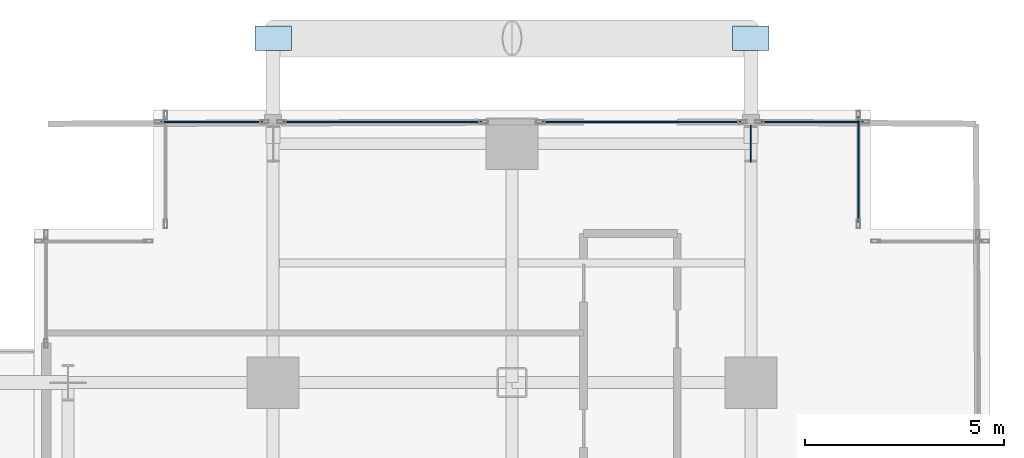
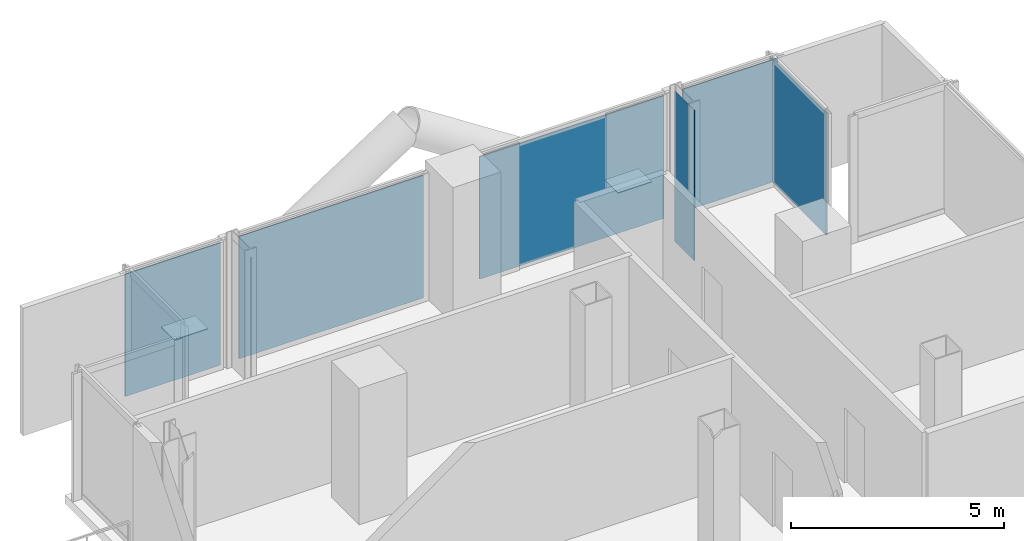
# One storey, part 18 of 27: 8 plates, 5 elements without a shape of their own.
"""IFC4 building model written with IfcOpenShell, lengths in metres."""

from ifc_helpers import new_model, si_unit, direction, frame, origin, origin_2d, place, context, subcontext, project, spatial, rectangle, extrude, material, layer, layer_set, type_object, element, aggregate, save


model = new_model("IFC4")

# Units and contexts
model_context = context("Model", 3, precision=1e-05, world=origin(), true_north=direction((0.0, 1.0)))
body_context = subcontext(model_context, "Body", "Model", "MODEL_VIEW")
ifc_project = project(units=[si_unit("LENGTHUNIT", "METRE"), si_unit("AREAUNIT", "SQUARE_METRE"), si_unit("VOLUMEUNIT", "CUBIC_METRE"), si_unit("PLANEANGLEUNIT", "RADIAN"), si_unit("MASSUNIT", "GRAM", prefix="KILO"), si_unit("THERMODYNAMICTEMPERATUREUNIT", "KELVIN"), si_unit("POWERUNIT", "WATT")], contexts=[model_context])

# Site, building, storey
site_placement = place(None, origin())
site = spatial("IfcSite", under=ifc_project, at=site_placement, CompositionType="ELEMENT")
building_placement = place(site_placement, origin())
building = spatial("IfcBuilding", under=site, at=building_placement, Name="Svarakhadi Broadcast Tower", CompositionType="ELEMENT")
storey_placement = place(building_placement, frame((0.0, 0.0, 55.800048828125)))
storey = spatial("IfcBuildingStorey", under=building, at=storey_placement, Name="L12", CompositionType="ELEMENT", Elevation=55.800048828125)

# Curtain wall, plate
ifc_material_1 = material(Name="Anodised Bronze Aluminium AA 6063-T6", Category="aluminium")
ifc_layer_1 = layer(ifc_material_1, 0.219970703125)
ifc_layer_set_1 = layer_set([ifc_layer_1], Name="Anodised Bronze Aluminium AA 6063-T6")
curtain_wall_type = type_object("IfcCurtainWallType", Name="CW_Sys_02", PredefinedType="NOTDEFINED", material=ifc_layer_set_1)
curtain_wall_1_placement = place(storey_placement, origin())
curtain_wall_1 = element("IfcCurtainWall", 1, at=curtain_wall_1_placement, inside=storey, type_object=curtain_wall_type, Name="L12 Unitised Facade Curtain Wall 06 Bay 1", PredefinedType="NOTDEFINED")
ifc_material_2 = material(Name="Double Low-E Laminated Acoustic Glass IGU 36 mm", Category="glass")
ifc_layer_2 = layer(ifc_material_2, 0.035888671875)
ifc_layer_set_2 = layer_set([ifc_layer_2], Name="Double Low-E Laminated Acoustic Glass IGU 36 mm")
plate_type_1 = type_object("IfcPlateType", Name="CW_Sys_02_Pnl", PredefinedType="CURTAIN_PANEL", material=ifc_layer_set_2)
plate_1_placement = place(storey_placement, frame((4.4599609375, 47.699951171875, 0.074951171875), z_axis=(0.0, 0.0, 1.0), x_axis=(1.0, 0.0, 0.0)))
plate_1 = element("IfcPlate", 2, at=plate_1_placement, type_object=plate_type_1, Name="CW-02 panel 1.1", PredefinedType="CURTAIN_PANEL", context=body_context, shape_type="SweptSolid", body=[
    extrude(rectangle(XDim=2.570068359375, YDim=0.035888671875, at=origin_2d()), origin(), (0.0, 0.0, 1.0), 3.5),
])
aggregate(curtain_wall_1, [plate_1])

curtain_wall_2_placement = place(storey_placement, origin())
curtain_wall_2 = element("IfcCurtainWall", 3, at=curtain_wall_2_placement, inside=storey, type_object=curtain_wall_type, Name="L12 Unitised Facade Curtain Wall 06 Bay 2", PredefinedType="NOTDEFINED")
plate_2_placement = place(storey_placement, frame((8.75, 47.699951171875, 0.074951171875), z_axis=(0.0, 0.0, 1.0), x_axis=(1.0, 0.0, 0.0)))
plate_2 = element("IfcPlate", 4, at=plate_2_placement, type_object=plate_type_1, Name="CW-02 panel 1.1", PredefinedType="CURTAIN_PANEL", context=body_context, shape_type="SweptSolid", body=[
    extrude(rectangle(XDim=4.989990234375, YDim=0.035888671875, at=origin_2d()), origin(), (0.0, 0.0, 1.0), 3.5),
])
aggregate(curtain_wall_2, [plate_2])

curtain_wall_3_placement = place(storey_placement, origin())
curtain_wall_3 = element("IfcCurtainWall", 5, at=curtain_wall_3_placement, inside=storey, type_object=curtain_wall_type, Name="L12 Unitised Facade Curtain Wall 06 Bay 3", PredefinedType="NOTDEFINED")
plate_3_placement = place(storey_placement, frame((15.25, 47.699951171875, 0.074951171875), z_axis=(0.0, 0.0, 1.0), x_axis=(1.0, 0.0, 0.0)))
plate_3 = element("IfcPlate", 6, at=plate_3_placement, type_object=plate_type_1, Name="CW-02 panel 1.1", PredefinedType="CURTAIN_PANEL", context=body_context, shape_type="SweptSolid", body=[
    extrude(rectangle(XDim=4.989990234375, YDim=0.035888671875, at=origin_2d()), origin(), (0.0, 0.0, 1.0), 3.5),
])
aggregate(curtain_wall_3, [plate_3])

curtain_wall_4_placement = place(storey_placement, origin())
curtain_wall_4 = element("IfcCurtainWall", 7, at=curtain_wall_4_placement, inside=storey, type_object=curtain_wall_type, Name="L12 Unitised Facade Curtain Wall 06 Bay 4", PredefinedType="NOTDEFINED")
plate_4_placement = place(storey_placement, frame((19.5400390625, 47.699951171875, 0.074951171875), z_axis=(0.0, 0.0, 1.0), x_axis=(1.0, 0.0, 0.0)))
plate_4 = element("IfcPlate", 8, at=plate_4_placement, type_object=plate_type_1, Name="CW-02 panel 1.1", PredefinedType="CURTAIN_PANEL", context=body_context, shape_type="SweptSolid", body=[
    extrude(rectangle(XDim=2.570068359375, YDim=0.035888671875, at=origin_2d()), origin(), (0.0, 0.0, 1.0), 3.5),
])
aggregate(curtain_wall_4, [plate_4])

curtain_wall_5_placement = place(storey_placement, origin())
curtain_wall_5 = element("IfcCurtainWall", 9, at=curtain_wall_5_placement, inside=storey, type_object=curtain_wall_type, Name="L12 Unitised Facade Curtain Wall 07", PredefinedType="NOTDEFINED")
plate_5_placement = place(storey_placement, frame((20.699951171875, 46.5, 0.074951171875), z_axis=(0.0, 0.0, 1.0), x_axis=(0.0, -1.0, 0.0)))
plate_5 = element("IfcPlate", 10, at=plate_5_placement, type_object=plate_type_1, Name="CW-02 panel 1.1", PredefinedType="CURTAIN_PANEL", context=body_context, shape_type="SweptSolid", body=[
    extrude(rectangle(XDim=2.64990234375, YDim=0.035888671875, at=origin_2d()), origin(), (0.0, 0.0, 1.0), 3.5),
])
aggregate(curtain_wall_5, [plate_5])

# Plates
ifc_material_3 = material(Name="Steel S460ML (IS 2062 E450BR)", Category="steel")
ifc_layer_3 = layer(ifc_material_3, 0.02587890625)
ifc_layer_set_3 = layer_set([ifc_layer_3], Name="Steel S460ML (IS 2062 E450BR)")
plate_type_2 = type_object("IfcPlateType", Name="Node_Gusset_N07", PredefinedType="SHEET", material=ifc_layer_set_3)
for number, where, z_axis, x_axis, name in (
    (11, (6.0, 49.800048828125, -0.25), (0.0, 0.0, 1.0), (1.0, 0.0, 0.0), "L12 Exoskeleton Gusset Node Plate N11"),
    (12, (18.0, 49.800048828125, -0.25), (0.0, 0.0, 1.0), (1.0, 0.0, 0.0), "L12 Exoskeleton Gusset Node Plate N12"),
):
    element("IfcPlate", number, at=place(storey_placement, frame(where, z_axis=z_axis, x_axis=x_axis)), inside=storey, type_object=plate_type_2, Name=name, PredefinedType="SHEET", context=body_context, shape_type="SweptSolid", body=[
        extrude(rectangle(XDim=0.919921875, YDim=0.6201171875, at=origin_2d()), origin(), (0.0, 0.0, 1.0), 0.02587890625),
    ])
plate_6_placement = place(storey_placement, frame((18.0, 47.14990234375, -0.6279296875), z_axis=(0.0, 0.0, 1.0), x_axis=(0.0, 1.0, 0.0)))
element("IfcPlate", 13, at=plate_6_placement, inside=storey, type_object=plate_type_2, Name="L12 Brace End Connection Gusset Plate N-07-E0083", PredefinedType="SHEET", context=body_context, shape_type="SweptSolid", body=[
    extrude(rectangle(XDim=0.919921875, YDim=0.02587890625, at=origin_2d()), origin(), (0.0, 0.0, 1.0), 4.300048828125),
])

save(model, "model.ifc")
